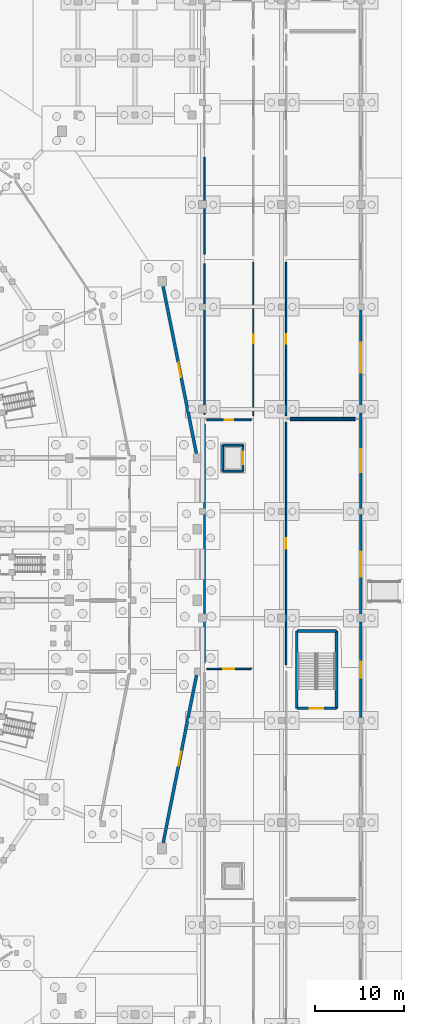
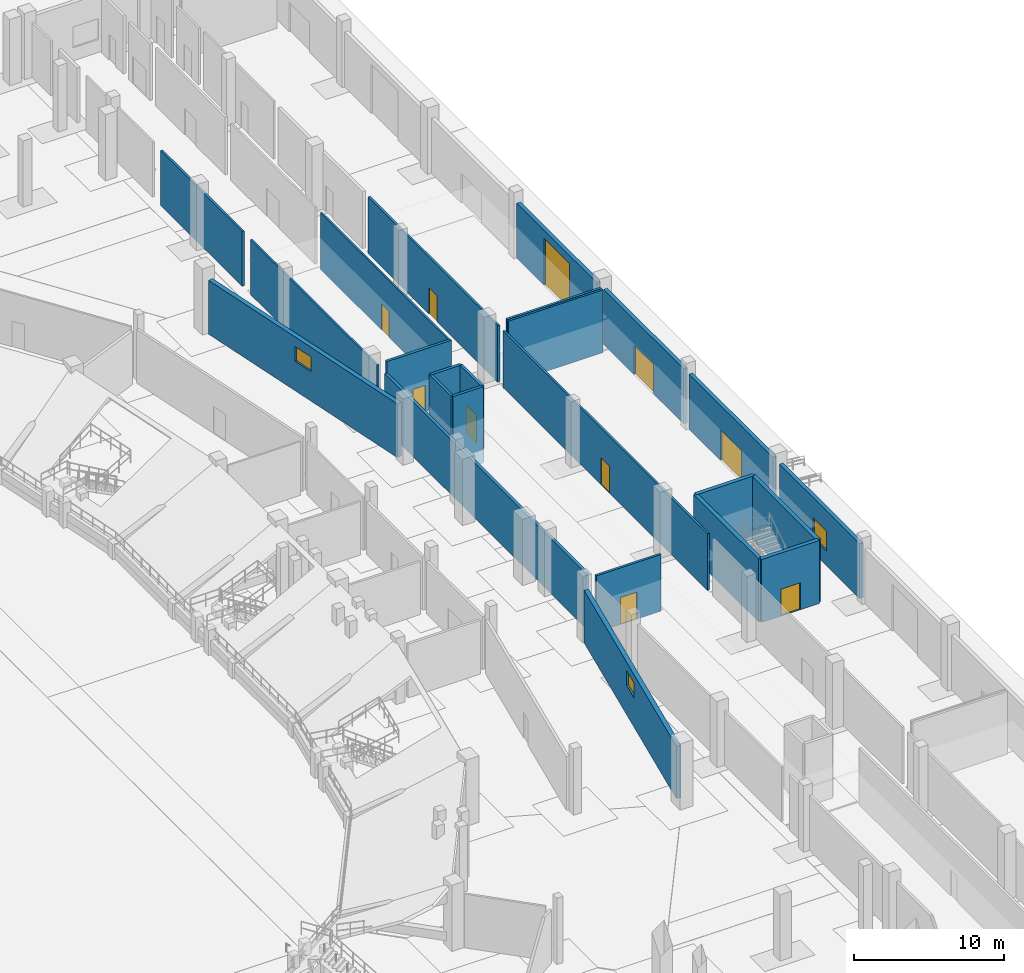
# One storey, part 35 of 68: 24 walls, 10 doors, 3 windows, 13 openings.
"""IFC4 building model written with IfcOpenShell, lengths in metres."""

import ifcopenshell
import ifcopenshell.guid

model = None  # the IFC model being written
_history = None  # IfcOwnerHistory: only IFC2X3 demands one
_inside = {}  # id of a spatial element -> (the spatial element, [elements in it])
_under = {}  # id of a project, library or spatial element -> (it, [spatial elements below it])
_declared = {}  # id of a project -> (the project, [libraries it declares])
_typed = {}  # id of a type object -> (the type object, [elements of that type])
_made_of = {}  # id of a material, layer set ... -> (it, [elements and type objects made of it])


def new_model(schema):
    """Start an empty IFC model of exactly this schema.

    Asked for "IFC4X3", IfcOpenShell would pick the latest addendum, in which some entities
    have other attributes; the version numbers below select the first issue.
    IFC2X3 requires an IfcOwnerHistory on every rooted entity: one is made here for all.
    """
    global model, _history
    if schema == "IFC4X3":
        model = ifcopenshell.file(schema_version=(4, 3, 0, 0))
    else:
        model = ifcopenshell.file(schema=schema)
    _inside.clear()
    _under.clear()
    _declared.clear()
    _typed.clear()
    _made_of.clear()
    _history = None
    if model.schema == "IFC2X3":
        org = make("IfcOrganization", Name="unknown")
        user = make(
            "IfcPersonAndOrganization",
            ThePerson=make("IfcPerson", FamilyName="unknown"),
            TheOrganization=org,
        )
        app = make(
            "IfcApplication",
            ApplicationDeveloper=org,
            Version="unknown",
            ApplicationFullName="unknown",
            ApplicationIdentifier="unknown",
        )
        _history = make(
            "IfcOwnerHistory",
            OwningUser=user,
            OwningApplication=app,
            ChangeAction="ADDED",
            CreationDate=0,
        )
    return model


def make(cls, **values):
    """One entity of the class cls with the attributes given. An attribute that is None is left unset."""
    return model.create_entity(
        cls, **{name: value for name, value in values.items() if value is not None}
    )


def rooted(cls, **values):
    """An entity with a GlobalId (a new one), such as an element, a storey or a relation."""
    return make(cls, GlobalId=ifcopenshell.guid.new(), OwnerHistory=_history, **values)


def si_unit(unit_type, name, prefix=None):
    """IfcSIUnit, for example si_unit("LENGTHUNIT", "METRE", prefix="MILLI")."""
    return make("IfcSIUnit", UnitType=unit_type, Prefix=prefix, Name=name)


def assignment(units):
    """IfcUnitAssignment: the units of a project."""
    return None if units is None else make("IfcUnitAssignment", Units=units)


def point(xyz):
    """IfcCartesianPoint."""
    return None if xyz is None else make("IfcCartesianPoint", Coordinates=xyz)


def direction(xyz):
    """IfcDirection."""
    return None if xyz is None else make("IfcDirection", DirectionRatios=xyz)


def frame(location, z_axis=None, x_axis=None):
    """IfcAxis2Placement3D, a coordinate frame: its origin and axes. An axis left out is left unset."""
    return make(
        "IfcAxis2Placement3D",
        Location=point(location),
        Axis=direction(z_axis),
        RefDirection=direction(x_axis),
    )


def frame_2d(location, x_axis=None):
    """IfcAxis2Placement2D, a coordinate frame in the plane: its origin and x axis."""
    return make(
        "IfcAxis2Placement2D", Location=point(location), RefDirection=direction(x_axis)
    )


def origin():
    """The frame at (0, 0, 0) with its axes left unset."""
    return frame((0.0, 0.0, 0.0))


def place(relative_to, where):
    """IfcLocalPlacement: puts the frame where relative to a parent placement (None: the world)."""
    return make(
        "IfcLocalPlacement", PlacementRelTo=relative_to, RelativePlacement=where
    )


def context(
    kind, dimensions, precision=None, world=None, true_north=None, identifier=None
):
    """IfcGeometricRepresentationContext, for example the 3D "Model" context."""
    return make(
        "IfcGeometricRepresentationContext",
        ContextIdentifier=identifier,
        ContextType=kind,
        CoordinateSpaceDimension=dimensions,
        Precision=precision,
        WorldCoordinateSystem=world,
        TrueNorth=true_north,
    )


def subcontext(parent, identifier, kind, view, scale=None):
    """IfcGeometricRepresentationSubContext, for example "Body" below "Model"."""
    return make(
        "IfcGeometricRepresentationSubContext",
        ContextIdentifier=identifier,
        ContextType=kind,
        ParentContext=parent,
        TargetScale=scale,
        TargetView=view,
    )


def project(units=None, contexts=None):
    """IfcProject with its units and contexts."""
    return rooted(
        "IfcProject",
        Name="project",
        RepresentationContexts=contexts,
        UnitsInContext=assignment(units),
    )


def spatial(cls, under=None, at=None, **own):
    """A site, building, storey or space (cls), placed at a placement, below another one or the project."""
    s = rooted(cls, ObjectPlacement=at, **own)
    if under is not None:
        _under.setdefault(under.id(), (under, []))[1].append(s)
    return s


def profile(cls, at=None, kind="AREA", **sizes):
    """A parametric profile (cls). Its sizes go by their IFC names, for example OverallWidth=200.0."""
    return make(cls, ProfileType=kind, Position=at, **sizes)


def rectangle(**sizes):
    """IfcRectangleProfileDef."""
    return profile("IfcRectangleProfileDef", **sizes)


def extrude(swept, where, along, depth):
    """IfcExtrudedAreaSolid: the profile swept, set in the frame where, extruded along a direction by depth."""
    return make(
        "IfcExtrudedAreaSolid",
        SweptArea=swept,
        Position=where,
        ExtrudedDirection=direction(along),
        Depth=depth,
    )


def shape(context_of_items, identifier, shape_type, items):
    """IfcShapeRepresentation: the items that make up one representation, for example the "Body"."""
    return make(
        "IfcShapeRepresentation",
        ContextOfItems=context_of_items,
        RepresentationIdentifier=identifier,
        RepresentationType=shape_type,
        Items=items,
    )


def material(Name=None, Category=None):
    """IfcMaterial."""
    return make("IfcMaterial", Name=Name, Category=Category)


def layer(
    of_material, thickness, ventilated=None, Name=None, Category=None, Priority=None
):
    """IfcMaterialLayer: one layer of a wall or slab, of a material (None: an air gap)."""
    return make(
        "IfcMaterialLayer",
        Material=of_material,
        LayerThickness=thickness,
        IsVentilated=ventilated,
        Name=Name,
        Category=Category,
        Priority=Priority,
    )


def layer_set(layers, Name=None):
    """IfcMaterialLayerSet."""
    return make("IfcMaterialLayerSet", MaterialLayers=layers, LayerSetName=Name)


def made_of(thing, what):
    """Note that an element or type object is made of a material, layer set ...; save() writes the relation."""
    if what is not None:
        _made_of.setdefault(what.id(), (what, []))[1].append(thing)
    return thing


def type_object(cls, material=None, **own):
    """A type object (cls), such as IfcWallType, which elements share."""
    return made_of(rooted(cls, **own), material)


def element(
    cls,
    number,
    at=None,
    inside=None,
    cuts=None,
    type_object=None,
    material=None,
    context=None,
    identifier="Body",
    shape_type=None,
    held_by="IfcProductDefinitionShape",
    body=None,
    shapes=None,
    **own,
):
    """One element of the class cls, such as IfcWall. Its Tag is "e" and its number.

    at: its placement. inside: the storey or other place that contains it. cuts: it is an
    opening in that element (IfcRelVoidsElement). A single representation is given by context,
    identifier, shape_type and body (its items); several are given by shapes. held_by: the class
    of the entity that holds the representations. save() writes the other relations.
    """
    e = rooted(cls, Tag="e%d" % number, ObjectPlacement=at, **own)
    if body is not None:
        shapes = [shape(context, identifier, shape_type, body)]
    if shapes is not None:
        e.Representation = make(held_by, Representations=shapes)
    if inside is not None:
        _inside.setdefault(inside.id(), (inside, []))[1].append(e)
    if cuts is not None:
        rooted(
            "IfcRelVoidsElement", RelatingBuildingElement=cuts, RelatedOpeningElement=e
        )
    if type_object is not None:
        _typed.setdefault(type_object.id(), (type_object, []))[1].append(e)
    return made_of(e, material)


def fill(opening, filler):
    """IfcRelFillsElement: the door or window that sits in an opening."""
    return rooted(
        "IfcRelFillsElement",
        RelatingOpeningElement=opening,
        RelatedBuildingElement=filler,
    )


def aggregate(whole, parts):
    """IfcRelAggregates: a whole, such as a stair, and the parts it consists of."""
    return rooted("IfcRelAggregates", RelatingObject=whole, RelatedObjects=parts)


def save(model, path):
    """Write the relations noted so far, then the file.

    IfcRelAggregates (storeys below a building ...), IfcRelContainedInSpatialStructure (elements
    in a storey), IfcRelDefinesByType, IfcRelAssociatesMaterial and IfcRelDeclares: one each for
    every whole, place, type object, material and project.
    """
    for whole, parts in _under.values():
        aggregate(whole, parts)
    for where, things in _inside.values():
        rooted(
            "IfcRelContainedInSpatialStructure",
            RelatedElements=things,
            RelatingStructure=where,
        )
    for kind, things in _typed.values():
        rooted("IfcRelDefinesByType", RelatedObjects=things, RelatingType=kind)
    for what, things in _made_of.values():
        rooted("IfcRelAssociatesMaterial", RelatedObjects=things, RelatingMaterial=what)
    for by, libraries in _declared.values():
        rooted("IfcRelDeclares", RelatingContext=by, RelatedDefinitions=libraries)
    model.write(path)


model = new_model("IFC4")

# Units and contexts
model_context = context("Model", 3, precision=1e-05, world=origin(), true_north=direction((0.0, 1.0)))
body_context = subcontext(model_context, "Body", "Model", "MODEL_VIEW")
ifc_project = project(units=[si_unit("LENGTHUNIT", "METRE"), si_unit("AREAUNIT", "SQUARE_METRE"), si_unit("VOLUMEUNIT", "CUBIC_METRE"), si_unit("PLANEANGLEUNIT", "RADIAN"), si_unit("MASSUNIT", "GRAM", prefix="KILO")], contexts=[model_context])

# Site, building, storey
site_placement = place(None, origin())
site = spatial("IfcSite", under=ifc_project, at=site_placement, CompositionType="ELEMENT")
building_placement = place(site_placement, origin())
building = spatial("IfcBuilding", under=site, at=building_placement, Name="Candeia Ridge Stadium", CompositionType="ELEMENT")
storey_placement = place(building_placement, origin())
storey = spatial("IfcBuildingStorey", under=building, at=storey_placement, Name="L00", CompositionType="ELEMENT", Elevation=0.0)

# Wall
ifc_material_1 = material(Name="Gypsum Metal-Stud Partition", Category="gypsum")
ifc_layer_1 = layer(ifc_material_1, 0.14501953125, Name="Gypsum Metal-Stud Partition", Category="gypsum")
ifc_layer_set_1 = layer_set([ifc_layer_1], Name="Gypsum Metal-Stud Partition")
wall_type_1 = type_object("IfcWallType", Name="Athlete Recovery Partition 145", PredefinedType="PARTITIONING", material=ifc_layer_set_1)
wall_1_placement = place(storey_placement, frame((193.800048828125, 99.949951171875, 0.0), z_axis=(0.0, 0.0, 1.0), x_axis=(0.0, 1.0, 0.0)))
element("IfcWall", 1, at=wall_1_placement, inside=storey, type_object=wall_type_1, Name="Demising partition PT-L00-0035", PredefinedType="PARTITIONING", context=body_context, shape_type="SweptSolid", body=[
    extrude(rectangle(XDim=16.900146484375, YDim=0.14501953125, at=frame_2d((8.4501953125, 0.0))), origin(), (0.0, 0.0, 1.0), 4.47509765625),
])

# Wall, opening, door
ifc_material_2 = material(Name="Gypsum Acoustic Twin-Stud Assembly", Category="gypsum")
ifc_layer_2 = layer(ifc_material_2, 0.159912109375, Name="Gypsum Acoustic Twin-Stud Assembly", Category="gypsum")
ifc_layer_set_2 = layer_set([ifc_layer_2], Name="Gypsum Acoustic Twin-Stud Assembly")
wall_type_2 = type_object("IfcWallType", Name="Club Dining Acoustic Partition 160", PredefinedType="PARTITIONING", material=ifc_layer_set_2)
wall_2_placement = place(storey_placement, frame((203.0, 71.75, 0.0), z_axis=(0.0, 0.0, 1.0), x_axis=(0.0, 1.0, 0.0)))
wall_2 = element("IfcWall", 2, at=wall_2_placement, inside=storey, type_object=wall_type_2, Name="Interior partition PT-L00-0032", PredefinedType="PARTITIONING", context=body_context, shape_type="SweptSolid", body=[
    extrude(rectangle(XDim=27.300048828125, YDim=0.159912109375, at=frame_2d((13.64990234375, 0.0))), origin(), (0.0, 0.0, 1.0), 4.625),
])
opening_1_placement = place(wall_2_placement, frame((13.074951171875, 0.0, 0.0)))
opening_1 = element("IfcOpeningElement", 3, at=opening_1_placement, cuts=wall_2, Name="Opening ID02", PredefinedType="OPENING", context=body_context, shape_type="SweptSolid", body=[
    extrude(rectangle(XDim=1.14990234375, YDim=2.199951171875, at=frame_2d((0.574951171875, 1.10009765625))), frame((0.0, 0.08984375, 0.0), z_axis=(0.0, -1.0, 0.0), x_axis=(1.0, 0.0, 0.0)), (0.0, 0.0, 1.0), 0.179931640625),
])
ifc_material_3 = material(Name="Acoustic Timber Studio Leaf", Category="wood")
door_type_1 = type_object("IfcDoorType", Name="Broadcast & Press Studio Door 1150x2200", OperationType="NOTDEFINED", PredefinedType="DOOR", material=ifc_material_3)
door_1_placement = place(opening_1_placement, origin())
door_1 = element("IfcDoor", 4, at=door_1_placement, inside=storey, type_object=door_type_1, Name="Interior room door D-L00-0018", OperationType="SINGLE_SWING_RIGHT", OverallHeight=2.199951171875, OverallWidth=1.14990234375, PredefinedType="DOOR", context=body_context, shape_type="SweptSolid", body=[
    extrude(rectangle(XDim=1.14990234375, YDim=2.199951171875, at=frame_2d((0.574951171875, 1.10009765625))), frame((0.0, 0.02490234375, 0.0), z_axis=(0.0, -1.0, 0.0), x_axis=(1.0, 0.0, 0.0)), (0.0, 0.0, 1.0), 0.050048828125),
])
fill(opening_1, door_1)

# Walls
wall_3_placement = place(storey_placement, frame((203.449951171875, 99.300048828125, 0.0), z_axis=(0.0, 0.0, 1.0), x_axis=(1.0, 0.0, 0.0)))
element("IfcWall", 5, at=wall_3_placement, inside=storey, type_object=wall_type_2, Name="Demising partition PT-L00-0033", PredefinedType="PARTITIONING", context=body_context, shape_type="SweptSolid", body=[
    extrude(rectangle(XDim=7.300048828125, YDim=0.159912109375, at=frame_2d((3.64990234375, 0.0))), origin(), (0.0, 0.0, 1.0), 5.1201171875),
])
ifc_material_4 = material(Name="Concrete C45/55", Category="concrete")
ifc_layer_3 = layer(ifc_material_4, 0.300048828125, Name="Concrete C45/55", Category="concrete")
ifc_layer_set_3 = layer_set([ifc_layer_3], Name="Concrete C45/55")
wall_type_3 = type_object("IfcWallType", Name="Core Shear Wall Concrete 300", PredefinedType="SHEAR", material=ifc_layer_set_3)
wall_4_placement = place(storey_placement, frame((208.649658203125, 66.850341796875, 0.0), z_axis=(0.0, 0.0, 1.0), x_axis=(0.0, 1.0, 0.0)))
element("IfcWall", 6, at=wall_4_placement, inside=storey, type_object=wall_type_3, Name="Core C16 left shear wall L00", PredefinedType="SHEAR", context=body_context, shape_type="SweptSolid", body=[
    extrude(rectangle(XDim=8.69921875, YDim=0.300048828125, at=frame_2d((4.349609375, 0.0))), origin(), (0.0, 0.0, 1.0), 5.139892578125),
])
wall_5_placement = place(storey_placement, frame((208.649658203125, 75.549560546875, 0.0), z_axis=(0.0, 0.0, 1.0), x_axis=(-1.0, 0.0, 0.0)))
element("IfcWall", 7, at=wall_5_placement, inside=storey, type_object=wall_type_3, Name="Core C16 far shear wall L00", PredefinedType="SHEAR", context=body_context, shape_type="SweptSolid", body=[
    extrude(rectangle(XDim=4.44921875, YDim=0.300048828125, at=frame_2d((2.224609375, 0.0))), origin(), (0.0, 0.0, 1.0), 5.139892578125),
])
wall_6_placement = place(storey_placement, frame((204.200439453125, 75.549560546875, 0.0), z_axis=(0.0, 0.0, 1.0), x_axis=(0.0, -1.0, 0.0)))
element("IfcWall", 8, at=wall_6_placement, inside=storey, type_object=wall_type_3, Name="Core C16 right shear wall L00", PredefinedType="SHEAR", context=body_context, shape_type="SweptSolid", body=[
    extrude(rectangle(XDim=8.69921875, YDim=0.300048828125, at=frame_2d((4.349609375, 0.0))), origin(), (0.0, 0.0, 1.0), 5.139892578125),
])

# Wall, opening, door
wall_7_placement = place(storey_placement, frame((204.200439453125, 66.850341796875, 0.0), z_axis=(0.0, 0.0, 1.0), x_axis=(1.0, 0.0, 0.0)))
wall_7 = element("IfcWall", 9, at=wall_7_placement, inside=storey, type_object=wall_type_3, Name="Core C16 near shear wall L00", PredefinedType="SHEAR", context=body_context, shape_type="SweptSolid", body=[
    extrude(rectangle(XDim=4.44921875, YDim=0.300048828125, at=frame_2d((2.224609375, 0.0))), origin(), (0.0, 0.0, 1.0), 5.139892578125),
])
opening_2_placement = place(wall_7_placement, frame((1.474609375, 0.0, 0.0)))
opening_2 = element("IfcOpeningElement", 10, at=opening_2_placement, cuts=wall_7, Name="Opening FD01", PredefinedType="OPENING", context=body_context, shape_type="SweptSolid", body=[
    extrude(rectangle(XDim=1.5, YDim=2.199951171875, at=frame_2d((0.75, 1.10009765625))), frame((0.0, 0.159912109375, 0.0), z_axis=(0.0, -1.0, 0.0), x_axis=(1.0, 0.0, 0.0)), (0.0, 0.0, 1.0), 0.320068359375),
])
ifc_material_5 = material(Name="Galvanized Fire-Rated Steel", Category="steel")
door_type_2 = type_object("IfcDoorType", Name="Exit Stair Core Fire Door 1500x2200", OperationType="NOTDEFINED", PredefinedType="DOOR", material=ifc_material_5)
door_2_placement = place(opening_2_placement, frame((1.5, 0.0, 0.0), z_axis=(0.0, 0.0, 1.0), x_axis=(-1.0, 0.0, 0.0)))
door_2 = element("IfcDoor", 11, at=door_2_placement, inside=storey, type_object=door_type_2, Name="Exit stair fire door SD-ST16-L00", OperationType="DOUBLE_DOOR_SINGLE_SWING", OverallHeight=2.199951171875, OverallWidth=1.5, PredefinedType="DOOR", context=body_context, shape_type="SweptSolid", body=[
    extrude(rectangle(XDim=1.5, YDim=2.199951171875, at=frame_2d((0.75, 1.10009765625))), frame((0.0, 0.02490234375, 0.0), z_axis=(0.0, -1.0, 0.0), x_axis=(1.0, 0.0, 0.0)), (0.0, 0.0, 1.0), 0.050048828125),
])
fill(opening_2, door_2)

ifc_layer_4 = layer(ifc_material_2, 0.179931640625, Name="Gypsum Acoustic Twin-Stud Assembly", Category="gypsum")
ifc_layer_set_4 = layer_set([ifc_layer_4], Name="Gypsum Acoustic Twin-Stud Assembly")
wall_type_4 = type_object("IfcWallType", Name="Corridor Fire Partition 180", PredefinedType="PARTITIONING", material=ifc_layer_set_4)
wall_8_placement = place(storey_placement, frame((194.050048828125, 71.300048828125, 0.0), z_axis=(0.0, 0.0, 1.0), x_axis=(1.0, 0.0, 0.0)))
wall_8 = element("IfcWall", 12, at=wall_8_placement, inside=storey, type_object=wall_type_4, Name="Interior partition PT-L00-0026", PredefinedType="PARTITIONING", context=body_context, shape_type="SweptSolid", body=[
    extrude(rectangle(XDim=5.0, YDim=0.179931640625, at=frame_2d((2.5, 0.0))), origin(), (0.0, 0.0, 1.0), 4.625),
])
opening_3_placement = place(wall_8_placement, frame((1.875, 0.0, 0.0)))
opening_3 = element("IfcOpeningElement", 13, at=opening_3_placement, cuts=wall_8, Name="Opening ID11", PredefinedType="OPENING", context=body_context, shape_type="SweptSolid", body=[
    extrude(rectangle(XDim=1.25, YDim=2.199951171875, at=frame_2d((0.625, 1.10009765625))), frame((0.0, 0.099853515625, 0.0), z_axis=(0.0, -1.0, 0.0), x_axis=(1.0, 0.0, 0.0)), (0.0, 0.0, 1.0), 0.199951171875),
])
door_type_3 = type_object("IfcDoorType", Name="Press Tribune Acoustic Door 1250x2200", OperationType="NOTDEFINED", PredefinedType="DOOR", material=ifc_material_3)
door_3_placement = place(opening_3_placement, frame((1.25, 0.0, 0.0), z_axis=(0.0, 0.0, 1.0), x_axis=(-1.0, 0.0, 0.0)))
door_3 = element("IfcDoor", 14, at=door_3_placement, inside=storey, type_object=door_type_3, Name="Interior room door D-L00-0015", OperationType="SINGLE_SWING_RIGHT", OverallHeight=2.199951171875, OverallWidth=1.25, PredefinedType="DOOR", context=body_context, shape_type="SweptSolid", body=[
    extrude(rectangle(XDim=1.25, YDim=2.199951171875, at=frame_2d((0.625, 1.10009765625))), frame((0.0, 0.02490234375, 0.0), z_axis=(0.0, -1.0, 0.0), x_axis=(1.0, 0.0, 0.0)), (0.0, 0.0, 1.0), 0.050048828125),
])
fill(opening_3, door_3)

# Wall
ifc_material_6 = material(Name="Moisture-Resistant Masonry & Tile", Category="masonry")
ifc_layer_5 = layer(ifc_material_6, 0.22998046875, Name="Moisture-Resistant Masonry & Tile", Category="masonry")
ifc_layer_set_5 = layer_set([ifc_layer_5], Name="Moisture-Resistant Masonry & Tile")
wall_type_5 = type_object("IfcWallType", Name="Dressing Suite Wet-Wall Chase 230", PredefinedType="PLUMBINGWALL", material=ifc_layer_set_5)
wall_9_placement = place(storey_placement, frame((193.800048828125, 71.949951171875, 0.0), z_axis=(0.0, 0.0, 1.0), x_axis=(0.0, 1.0, 0.0)))
element("IfcWall", 15, at=wall_9_placement, inside=storey, type_object=wall_type_5, Name="Demising partition PT-L00-0031", PredefinedType="PLUMBINGWALL", context=body_context, shape_type="SweptSolid", body=[
    extrude(rectangle(XDim=26.900146484375, YDim=0.22998046875, at=frame_2d((13.4501953125, 0.0))), origin(), (0.0, 0.0, 1.0), 4.47509765625),
])

# Wall, opening, window
ifc_material_7 = material(Name="Concrete C40/50", Category="concrete")
ifc_layer_6 = layer(ifc_material_7, 0.340087890625, Name="Concrete C40/50", Category="concrete")
ifc_layer_set_6 = layer_set([ifc_layer_6], Name="Concrete C40/50")
wall_type_6 = type_object("IfcWallType", Name="Exterior Acoustic Bowl Plinth Wall 340", PredefinedType="SOLIDWALL", material=ifc_layer_set_6)
wall_10_placement = place(storey_placement, frame((189.173095703125, 51.761474609375, 0.0), z_axis=(0.0, 0.0, 1.0), x_axis=(0.19509817024, 0.980783719262, 0.0)))
wall_10 = element("IfcWall", 16, at=wall_10_placement, inside=storey, type_object=wall_type_6, Name="Bowl plinth exterior wall EW-L00-0006", PredefinedType="SOLIDWALL", context=body_context, shape_type="SweptSolid", body=[
    extrude(rectangle(XDim=19.1884765625, YDim=0.340087890625, at=frame_2d((9.59423828125, 0.0))), origin(), (0.0, 0.0, 1.0), 4.27490234375),
])
opening_4_placement = place(wall_10_placement, frame((8.794189453125, 0.0, 2.39990234375)))
opening_4 = element("IfcOpeningElement", 17, at=opening_4_placement, cuts=wall_10, Name="Opening W15", PredefinedType="OPENING", context=body_context, shape_type="SweptSolid", body=[
    extrude(rectangle(XDim=1.60009765625, YDim=1.199951171875, at=frame_2d((0.800048828125, 0.60009765625))), frame((0.0, 0.179931640625, 0.0), z_axis=(0.0, -1.0, 0.0), x_axis=(1.0, 0.0, 0.0)), (0.0, 0.0, 1.0), 0.360107421875),
])
ifc_material_8 = material(Name="Tempered Solar-Control Double Glazing", Category="glass")
window_type_1 = type_object("IfcWindowType", Name="Plant Acoustic Louvre Window 1600x1200", PartitioningType="SINGLE_PANEL", PredefinedType="WINDOW", material=ifc_material_8)
window_1_placement = place(opening_4_placement, origin())
window_1 = element("IfcWindow", 18, at=window_1_placement, inside=storey, type_object=window_type_1, Name="Bowl plinth louvre window WIN-BWL-006", OverallHeight=1.199951171875, OverallWidth=1.60009765625, PartitioningType="SINGLE_PANEL", PredefinedType="WINDOW", context=body_context, shape_type="SweptSolid", body=[
    extrude(rectangle(XDim=1.60009765625, YDim=1.199951171875, at=frame_2d((0.800048828125, 0.60009765625))), frame((0.0, 0.030029296875, 0.0), z_axis=(0.0, -1.0, 0.0), x_axis=(1.0, 0.0, 0.0)), (0.0, 0.0, 1.0), 0.06005859375),
])
fill(opening_4, window_1)

wall_11_placement = place(storey_placement, frame((192.895751953125, 95.523681640625, 0.0), z_axis=(0.0, 0.0, 1.0), x_axis=(-0.19509043962, 0.98078525701, 0.0)))
wall_11 = element("IfcWall", 19, at=wall_11_placement, inside=storey, type_object=wall_type_6, Name="Bowl plinth exterior wall EW-L00-0007", PredefinedType="SOLIDWALL", context=body_context, shape_type="SweptSolid", body=[
    extrude(rectangle(XDim=19.135498046875, YDim=0.340087890625, at=frame_2d((9.56787109375, 0.0))), origin(), (0.0, 0.0, 1.0), 4.385009765625),
])
opening_5_placement = place(wall_11_placement, frame((8.767578125, 0.0, 2.39990234375)))
opening_5 = element("IfcOpeningElement", 20, at=opening_5_placement, cuts=wall_11, Name="Opening W15", PredefinedType="OPENING", context=body_context, shape_type="SweptSolid", body=[
    extrude(rectangle(XDim=1.60009765625, YDim=1.199951171875, at=frame_2d((0.800048828125, 0.60009765625))), frame((0.0, 0.179931640625, 0.0), z_axis=(0.0, -1.0, 0.0), x_axis=(1.0, 0.0, 0.0)), (0.0, 0.0, 1.0), 0.360107421875),
])
window_2_placement = place(opening_5_placement, origin())
window_2 = element("IfcWindow", 21, at=window_2_placement, inside=storey, type_object=window_type_1, Name="Bowl plinth louvre window WIN-BWL-007", OverallHeight=1.199951171875, OverallWidth=1.60009765625, PartitioningType="SINGLE_PANEL", PredefinedType="WINDOW", context=body_context, shape_type="SweptSolid", body=[
    extrude(rectangle(XDim=1.60009765625, YDim=1.199951171875, at=frame_2d((0.800048828125, 0.60009765625))), frame((0.0, 0.030029296875, 0.0), z_axis=(0.0, -1.0, 0.0), x_axis=(1.0, 0.0, 0.0)), (0.0, 0.0, 1.0), 0.06005859375),
])
fill(opening_5, window_2)

ifc_material_9 = material(Name="Concrete C35/45", Category="concrete")
ifc_layer_7 = layer(ifc_material_9, 0.2900390625, Name="Concrete C35/45", Category="concrete")
ifc_layer_set_7 = layer_set([ifc_layer_7], Name="Concrete C35/45")
wall_type_7 = type_object("IfcWallType", Name="Exterior Service & Plant Wall 290", PredefinedType="SOLIDWALL", material=ifc_layer_set_7)
wall_12_placement = place(storey_placement, frame((211.39990234375, 65.837890625, 0.0), z_axis=(0.0, 0.0, 1.0), x_axis=(0.0, 1.0, 0.0)))
wall_12 = element("IfcWall", 22, at=wall_12_placement, inside=storey, type_object=wall_type_7, Name="Exterior facade wall EW-L00-0123", PredefinedType="SOLIDWALL", context=body_context, shape_type="SweptSolid", body=[
    extrude(rectangle(XDim=10.72412109375, YDim=0.2900390625, at=frame_2d((5.362060546875, 0.0))), origin(), (0.0, 0.0, 1.0), 4.47509765625),
])
opening_6_placement = place(wall_12_placement, frame((4.4619140625, 0.0, 1.199951171875)))
opening_6 = element("IfcOpeningElement", 23, at=opening_6_placement, cuts=wall_12, Name="Opening W08", PredefinedType="OPENING", context=body_context, shape_type="SweptSolid", body=[
    extrude(rectangle(XDim=1.800048828125, YDim=1.60009765625, at=frame_2d((0.89990234375, 0.800048828125))), frame((0.0, 0.155029296875, 0.0), z_axis=(0.0, -1.0, 0.0), x_axis=(1.0, 0.0, 0.0)), (0.0, 0.0, 1.0), 0.31005859375),
])
window_type_2 = type_object("IfcWindowType", Name="Athlete Suite Window 1800x1600", PartitioningType="SINGLE_PANEL", PredefinedType="WINDOW", material=ifc_material_8)
window_3_placement = place(opening_6_placement, origin())
window_3 = element("IfcWindow", 24, at=window_3_placement, inside=storey, type_object=window_type_2, Name="Exterior window WIN-L00-066", OverallHeight=1.60009765625, OverallWidth=1.800048828125, PartitioningType="SINGLE_PANEL", PredefinedType="WINDOW", context=body_context, shape_type="SweptSolid", body=[
    extrude(rectangle(XDim=1.800048828125, YDim=1.60009765625, at=frame_2d((0.89990234375, 0.800048828125))), frame((0.0, 0.030029296875, 0.0), z_axis=(0.0, -1.0, 0.0), x_axis=(1.0, 0.0, 0.0)), (0.0, 0.0, 1.0), 0.06005859375),
])
fill(opening_6, window_3)

# Wall, opening, door
wall_13_placement = place(storey_placement, frame((211.39990234375, 77.43798828125, 0.0), z_axis=(0.0, 0.0, 1.0), x_axis=(0.0, 1.0, 0.0)))
wall_13 = element("IfcWall", 25, at=wall_13_placement, inside=storey, type_object=wall_type_7, Name="Exterior facade wall EW-L00-0124", PredefinedType="SOLIDWALL", context=body_context, shape_type="SweptSolid", body=[
    extrude(rectangle(XDim=11.22412109375, YDim=0.2900390625, at=frame_2d((5.612060546875, 0.0))), origin(), (0.0, 0.0, 1.0), 4.47509765625),
])
opening_7_placement = place(wall_13_placement, frame((4.2119140625, 0.0, 0.0)))
opening_7 = element("IfcOpeningElement", 26, at=opening_7_placement, cuts=wall_13, Name="Opening ED03", PredefinedType="OPENING", context=body_context, shape_type="SweptSolid", body=[
    extrude(rectangle(XDim=2.800048828125, YDim=2.5, at=frame_2d((1.39990234375, 1.25))), frame((0.0, 0.155029296875, 0.0), z_axis=(0.0, -1.0, 0.0), x_axis=(1.0, 0.0, 0.0)), (0.0, 0.0, 1.0), 0.31005859375),
])
ifc_material_10 = material(Name="Aluminium Anodized Glazed Door", Category="aluminium")
door_type_4 = type_object("IfcDoorType", Name="Main Entrance Double Door 2800x2500", OperationType="NOTDEFINED", PredefinedType="DOOR", material=ifc_material_10)
door_4_placement = place(opening_7_placement, frame((2.800048828125, 0.0, 0.0), z_axis=(0.0, 0.0, 1.0), x_axis=(-1.0, 0.0, 0.0)))
door_4 = element("IfcDoor", 27, at=door_4_placement, inside=storey, type_object=door_type_4, Name="Pedestrian exit gate G11", OperationType="DOUBLE_DOOR_SINGLE_SWING", OverallHeight=2.5, OverallWidth=2.800048828125, PredefinedType="DOOR", context=body_context, shape_type="SweptSolid", body=[
    extrude(rectangle(XDim=2.800048828125, YDim=2.5, at=frame_2d((1.39990234375, 1.25))), frame((0.0, 0.02490234375, 0.0), z_axis=(0.0, -1.0, 0.0), x_axis=(1.0, 0.0, 0.0)), (0.0, 0.0, 1.0), 0.050048828125),
])
fill(opening_7, door_4)

wall_14_placement = place(storey_placement, frame((211.39990234375, 89.337890625, 0.0), z_axis=(0.0, 0.0, 1.0), x_axis=(0.0, 1.0, 0.0)))
wall_14 = element("IfcWall", 28, at=wall_14_placement, inside=storey, type_object=wall_type_7, Name="Exterior facade wall EW-L00-0125", PredefinedType="SOLIDWALL", context=body_context, shape_type="SweptSolid", body=[
    extrude(rectangle(XDim=10.72412109375, YDim=0.2900390625, at=frame_2d((5.362060546875, 0.0))), origin(), (0.0, 0.0, 1.0), 4.47509765625),
])
opening_8_placement = place(wall_14_placement, frame((4.06201171875, 0.0, 0.0)))
opening_8 = element("IfcOpeningElement", 29, at=opening_8_placement, cuts=wall_14, Name="Opening ED02", PredefinedType="OPENING", context=body_context, shape_type="SweptSolid", body=[
    extrude(rectangle(XDim=2.60009765625, YDim=2.39990234375, at=frame_2d((1.300048828125, 1.199951171875))), frame((0.0, 0.155029296875, 0.0), z_axis=(0.0, -1.0, 0.0), x_axis=(1.0, 0.0, 0.0)), (0.0, 0.0, 1.0), 0.31005859375),
])
door_type_5 = type_object("IfcDoorType", Name="Pedestrian Exit Double Door 2600x2400", OperationType="NOTDEFINED", PredefinedType="DOOR", material=ifc_material_10)
door_5_placement = place(opening_8_placement, frame((2.60009765625, 0.0, 0.0), z_axis=(0.0, 0.0, 1.0), x_axis=(-1.0, 0.0, 0.0)))
door_5 = element("IfcDoor", 30, at=door_5_placement, inside=storey, type_object=door_type_5, Name="Pedestrian exit gate G12", OperationType="DOUBLE_DOOR_SINGLE_SWING", OverallHeight=2.39990234375, OverallWidth=2.60009765625, PredefinedType="DOOR", context=body_context, shape_type="SweptSolid", body=[
    extrude(rectangle(XDim=2.60009765625, YDim=2.39990234375, at=frame_2d((1.300048828125, 1.199951171875))), frame((0.0, 0.02490234375, 0.0), z_axis=(0.0, -1.0, 0.0), x_axis=(1.0, 0.0, 0.0)), (0.0, 0.0, 1.0), 0.050048828125),
])
fill(opening_8, door_5)

wall_15_placement = place(storey_placement, frame((211.39990234375, 100.93798828125, 0.0), z_axis=(0.0, 0.0, 1.0), x_axis=(0.0, 1.0, 0.0)))
wall_15 = element("IfcWall", 31, at=wall_15_placement, inside=storey, type_object=wall_type_7, Name="Exterior facade wall EW-L00-0126", PredefinedType="SOLIDWALL", context=body_context, shape_type="SweptSolid", body=[
    extrude(rectangle(XDim=10.72412109375, YDim=0.2900390625, at=frame_2d((5.362060546875, 0.0))), origin(), (0.0, 0.0, 1.0), 4.47509765625),
])
opening_9_placement = place(wall_15_placement, frame((3.662109375, 0.0, 0.0)))
opening_9 = element("IfcOpeningElement", 32, at=opening_9_placement, cuts=wall_15, Name="Opening RS02", PredefinedType="OPENING", context=body_context, shape_type="SweptSolid", body=[
    extrude(rectangle(XDim=3.39990234375, YDim=3.800048828125, at=frame_2d((1.699951171875, 1.89990234375))), frame((0.0, 0.155029296875, 0.0), z_axis=(0.0, -1.0, 0.0), x_axis=(1.0, 0.0, 0.0)), (0.0, 0.0, 1.0), 0.31005859375),
])
ifc_material_11 = material(Name="Galvanized Steel Roller Shutter", Category="steel")
door_type_6 = type_object("IfcDoorType", Name="Broadcast Dock Roller Shutter 3400x3800", OperationType="NOTDEFINED", PredefinedType="DOOR", material=ifc_material_11)
door_6_placement = place(opening_9_placement, frame((3.39990234375, 0.0, 0.0), z_axis=(0.0, 0.0, 1.0), x_axis=(-1.0, 0.0, 0.0)))
door_6 = element("IfcDoor", 33, at=door_6_placement, inside=storey, type_object=door_type_6, Name="Service dock roller shutter LS03", OperationType="ROLLINGUP", OverallHeight=3.800048828125, OverallWidth=3.39990234375, PredefinedType="DOOR", context=body_context, shape_type="SweptSolid", body=[
    extrude(rectangle(XDim=3.39990234375, YDim=3.800048828125, at=frame_2d((1.699951171875, 1.89990234375))), frame((0.0, 0.02490234375, 0.0), z_axis=(0.0, -1.0, 0.0), x_axis=(1.0, 0.0, 0.0)), (0.0, 0.0, 1.0), 0.050048828125),
])
fill(opening_9, door_6)

ifc_layer_8 = layer(ifc_material_2, 0.1650390625, Name="Gypsum Acoustic Twin-Stud Assembly", Category="gypsum")
ifc_layer_set_8 = layer_set([ifc_layer_8], Name="Gypsum Acoustic Twin-Stud Assembly")
wall_type_8 = type_object("IfcWallType", Name="Hospitality Suite Acoustic Wall 165", PredefinedType="PARTITIONING", material=ifc_layer_set_8)
wall_16_placement = place(storey_placement, frame((203.0, 99.75, 0.0), z_axis=(0.0, 0.0, 1.0), x_axis=(0.0, 1.0, 0.0)))
wall_16 = element("IfcWall", 34, at=wall_16_placement, inside=storey, type_object=wall_type_8, Name="Interior partition PT-L00-0036", PredefinedType="PARTITIONING", context=body_context, shape_type="SweptSolid", body=[
    extrude(rectangle(XDim=17.300048828125, YDim=0.1650390625, at=frame_2d((8.64990234375, 0.0))), origin(), (0.0, 0.0, 1.0), 4.625),
])
opening_10_placement = place(wall_16_placement, frame((8.10009765625, 0.0, 0.0)))
opening_10 = element("IfcOpeningElement", 35, at=opening_10_placement, cuts=wall_16, Name="Opening FD04", PredefinedType="OPENING", context=body_context, shape_type="SweptSolid", body=[
    extrude(rectangle(XDim=1.10009765625, YDim=2.14990234375, at=frame_2d((0.550048828125, 1.074951171875))), frame((0.0, 0.092529296875, 0.0), z_axis=(0.0, -1.0, 0.0), x_axis=(1.0, 0.0, 0.0)), (0.0, 0.0, 1.0), 0.18505859375),
])
door_type_7 = type_object("IfcDoorType", Name="Plant & Riser Rated Door 1100x2150", OperationType="NOTDEFINED", PredefinedType="DOOR", material=ifc_material_5)
door_7_placement = place(opening_10_placement, frame((1.10009765625, 0.0, 0.0), z_axis=(0.0, 0.0, 1.0), x_axis=(-1.0, 0.0, 0.0)))
door_7 = element("IfcDoor", 36, at=door_7_placement, inside=storey, type_object=door_type_7, Name="Interior room door D-L00-0020", OperationType="SINGLE_SWING_RIGHT", OverallHeight=2.14990234375, OverallWidth=1.10009765625, PredefinedType="DOOR", context=body_context, shape_type="SweptSolid", body=[
    extrude(rectangle(XDim=1.10009765625, YDim=2.14990234375, at=frame_2d((0.550048828125, 1.074951171875))), frame((0.0, 0.02490234375, 0.0), z_axis=(0.0, -1.0, 0.0), x_axis=(1.0, 0.0, 0.0)), (0.0, 0.0, 1.0), 0.050048828125),
])
fill(opening_10, door_7)

# Walls
wall_17_placement = place(storey_placement, frame((193.800048828125, 117.949951171875, 0.0), z_axis=(0.0, 0.0, 1.0), x_axis=(0.0, 1.0, 0.0)))
element("IfcWall", 37, at=wall_17_placement, inside=storey, type_object=wall_type_8, Name="Demising partition PT-L00-0039", PredefinedType="PARTITIONING", context=body_context, shape_type="SweptSolid", body=[
    extrude(rectangle(XDim=10.900146484375, YDim=0.1650390625, at=frame_2d((5.4501953125, 0.0))), origin(), (0.0, 0.0, 1.0), 4.47509765625),
])
ifc_layer_9 = layer(ifc_material_7, 0.219970703125, Name="Concrete C40/50", Category="concrete")
ifc_layer_set_9 = layer_set([ifc_layer_9], Name="Concrete C40/50")
wall_type_9 = type_object("IfcWallType", Name="Lift & Riser Shaft Wall 220", PredefinedType="SHEAR", material=ifc_layer_set_9)
wall_18_placement = place(storey_placement, frame((195.840087890625, 93.5400390625, -1.10009765625), z_axis=(0.0, 0.0, 1.0), x_axis=(1.0, 0.0, 0.0)))
element("IfcWall", 38, at=wall_18_placement, inside=storey, type_object=wall_type_9, Name="Lift GL2 shaft wall L00 south", PredefinedType="SHEAR", context=body_context, shape_type="SweptSolid", body=[
    extrude(rectangle(XDim=2.31982421875, YDim=0.219970703125, at=frame_2d((1.159912109375, 0.0))), origin(), (0.0, 0.0, 1.0), 6.239990234375),
])

# Wall, opening, door
wall_19_placement = place(storey_placement, frame((198.159912109375, 93.5400390625, -1.10009765625), z_axis=(0.0, 0.0, 1.0), x_axis=(0.0, 1.0, 0.0)))
wall_19 = element("IfcWall", 39, at=wall_19_placement, inside=storey, type_object=wall_type_9, Name="Lift GL2 shaft wall L00 east", PredefinedType="SHEAR", context=body_context, shape_type="SweptSolid", body=[
    extrude(rectangle(XDim=2.919921875, YDim=0.219970703125, at=frame_2d((1.4599609375, 0.0))), origin(), (0.0, 0.0, 1.0), 6.239990234375),
])
opening_11_placement = place(wall_19_placement, frame((0.760009765625, 0.0, 1.10009765625)))
opening_11 = element("IfcOpeningElement", 40, at=opening_11_placement, cuts=wall_19, Name="Opening LD03", PredefinedType="OPENING", context=body_context, shape_type="SweptSolid", body=[
    extrude(rectangle(XDim=1.39990234375, YDim=2.300048828125, at=frame_2d((0.699951171875, 1.14990234375))), frame((0.0, 0.119873046875, 0.0), z_axis=(0.0, -1.0, 0.0), x_axis=(1.0, 0.0, 0.0)), (0.0, 0.0, 1.0), 0.239990234375),
])
ifc_material_12 = material(Name="Brushed Stainless Steel", Category="steel")
door_type_8 = type_object("IfcDoorType", Name="Goods Lift Landing Door 1400x2300", OperationType="NOTDEFINED", PredefinedType="DOOR", material=ifc_material_12)
door_8_placement = place(opening_11_placement, origin())
door_8 = element("IfcDoor", 41, at=door_8_placement, inside=storey, type_object=door_type_8, Name="Lift landing sliding door LD-GL2-L00", OperationType="DOUBLE_DOOR_SLIDING", OverallHeight=2.300048828125, OverallWidth=1.39990234375, PredefinedType="DOOR", context=body_context, shape_type="SweptSolid", body=[
    extrude(rectangle(XDim=1.39990234375, YDim=2.300048828125, at=frame_2d((0.699951171875, 1.14990234375))), frame((0.0, 0.02490234375, 0.0), z_axis=(0.0, -1.0, 0.0), x_axis=(1.0, 0.0, 0.0)), (0.0, 0.0, 1.0), 0.050048828125),
])
fill(opening_11, door_8)

# Walls
wall_20_placement = place(storey_placement, frame((198.159912109375, 96.4599609375, -1.10009765625), z_axis=(0.0, 0.0, 1.0), x_axis=(-1.0, 0.0, 0.0)))
element("IfcWall", 42, at=wall_20_placement, inside=storey, type_object=wall_type_9, Name="Lift GL2 shaft wall L00 north", PredefinedType="SHEAR", context=body_context, shape_type="SweptSolid", body=[
    extrude(rectangle(XDim=2.31982421875, YDim=0.219970703125, at=frame_2d((1.159912109375, 0.0))), origin(), (0.0, 0.0, 1.0), 6.239990234375),
])
wall_21_placement = place(storey_placement, frame((195.840087890625, 96.4599609375, -1.10009765625), z_axis=(0.0, 0.0, 1.0), x_axis=(0.0, -1.0, 0.0)))
element("IfcWall", 43, at=wall_21_placement, inside=storey, type_object=wall_type_9, Name="Lift GL2 shaft wall L00 west", PredefinedType="SHEAR", context=body_context, shape_type="SweptSolid", body=[
    extrude(rectangle(XDim=2.919921875, YDim=0.219970703125, at=frame_2d((1.4599609375, 0.0))), origin(), (0.0, 0.0, 1.0), 6.239990234375),
])
ifc_material_13 = material(Name="Gypsum Acoustic Triple-Board Wall", Category="gypsum")
ifc_layer_10 = layer(ifc_material_13, 0.18505859375, Name="Gypsum Acoustic Triple-Board Wall", Category="gypsum")
ifc_layer_set_10 = layer_set([ifc_layer_10], Name="Gypsum Acoustic Triple-Board Wall")
wall_type_10 = type_object("IfcWallType", Name="Media Booth Studio Divider 185", PredefinedType="PARTITIONING", material=ifc_layer_set_10)
wall_22_placement = place(storey_placement, frame((210.75, 99.5, 0.0), z_axis=(0.0, 0.0, 1.0), x_axis=(-1.0, 0.0, 0.0)))
element("IfcWall", 44, at=wall_22_placement, inside=storey, type_object=wall_type_10, Name="Demising partition PT-L00-0037", PredefinedType="PARTITIONING", context=body_context, shape_type="SweptSolid", body=[
    extrude(rectangle(XDim=7.300048828125, YDim=0.18505859375, at=frame_2d((3.64990234375, 0.0))), origin(), (0.0, 0.0, 1.0), 5.1201171875),
])

# Wall, opening, door
ifc_layer_11 = layer(ifc_material_6, 0.2099609375, Name="Moisture-Resistant Masonry & Tile", Category="masonry")
ifc_layer_set_11 = layer_set([ifc_layer_11], Name="Moisture-Resistant Masonry & Tile")
wall_type_11 = type_object("IfcWallType", Name="Sanitary Wet-Wall Plumbing Chase 210", PredefinedType="PLUMBINGWALL", material=ifc_layer_set_11)
wall_23_placement = place(storey_placement, frame((194.050048828125, 99.300048828125, 0.0), z_axis=(0.0, 0.0, 1.0), x_axis=(1.0, 0.0, 0.0)))
wall_23 = element("IfcWall", 45, at=wall_23_placement, inside=storey, type_object=wall_type_11, Name="Interior partition PT-L00-0030", PredefinedType="PLUMBINGWALL", context=body_context, shape_type="SweptSolid", body=[
    extrude(rectangle(XDim=5.0, YDim=0.2099609375, at=frame_2d((2.5, 0.0))), origin(), (0.0, 0.0, 1.0), 5.1201171875),
])
opening_12_placement = place(wall_23_placement, frame((2.02001953125, 0.0, 0.0)))
opening_12 = element("IfcOpeningElement", 46, at=opening_12_placement, cuts=wall_23, Name="Opening ID17", PredefinedType="OPENING", context=body_context, shape_type="SweptSolid", body=[
    extrude(rectangle(XDim=0.9599609375, YDim=2.14990234375, at=frame_2d((0.47998046875, 1.074951171875))), frame((0.0, 0.114990234375, 0.0), z_axis=(0.0, -1.0, 0.0), x_axis=(1.0, 0.0, 0.0)), (0.0, 0.0, 1.0), 0.22998046875),
])
ifc_material_14 = material(Name="Solid Core Cedar Veneer", Category="wood")
door_type_9 = type_object("IfcDoorType", Name="Ticketing Office Single Door 960x2150", OperationType="NOTDEFINED", PredefinedType="DOOR", material=ifc_material_14)
door_9_placement = place(opening_12_placement, origin())
door_9 = element("IfcDoor", 47, at=door_9_placement, inside=storey, type_object=door_type_9, Name="Interior room door D-L00-0017", OperationType="SINGLE_SWING_LEFT", OverallHeight=2.14990234375, OverallWidth=0.9599609375, PredefinedType="DOOR", context=body_context, shape_type="SweptSolid", body=[
    extrude(rectangle(XDim=0.9599609375, YDim=2.14990234375, at=frame_2d((0.47998046875, 1.074951171875))), frame((0.0, 0.02490234375, 0.0), z_axis=(0.0, -1.0, 0.0), x_axis=(1.0, 0.0, 0.0)), (0.0, 0.0, 1.0), 0.050048828125),
])
fill(opening_12, door_9)

ifc_layer_12 = layer(ifc_material_1, 0.1298828125, Name="Gypsum Metal-Stud Partition", Category="gypsum")
ifc_layer_set_12 = layer_set([ifc_layer_12], Name="Gypsum Metal-Stud Partition")
wall_type_12 = type_object("IfcWallType", Name="Ticketing Back-Office Partition 130", PredefinedType="PARTITIONING", material=ifc_layer_set_12)
wall_24_placement = place(storey_placement, frame((199.300048828125, 117.050048828125, 0.0), z_axis=(0.0, 0.0, 1.0), x_axis=(0.0, -1.0, 0.0)))
wall_24 = element("IfcWall", 48, at=wall_24_placement, inside=storey, type_object=wall_type_12, Name="Interior partition PT-L00-0034", PredefinedType="PARTITIONING", context=body_context, shape_type="SweptSolid", body=[
    extrude(rectangle(XDim=17.300048828125, YDim=0.1298828125, at=frame_2d((8.64990234375, 0.0))), origin(), (0.0, 0.0, 1.0), 4.625),
])
opening_13_placement = place(wall_24_placement, frame((8.175048828125, 0.0, 0.0)))
opening_13 = element("IfcOpeningElement", 49, at=opening_13_placement, cuts=wall_24, Name="Opening ID05", PredefinedType="OPENING", context=body_context, shape_type="SweptSolid", body=[
    extrude(rectangle(XDim=0.949951171875, YDim=2.14990234375, at=frame_2d((0.47509765625, 1.074951171875))), frame((0.0, 0.074951171875, 0.0), z_axis=(0.0, -1.0, 0.0), x_axis=(1.0, 0.0, 0.0)), (0.0, 0.0, 1.0), 0.14990234375),
])
door_type_10 = type_object("IfcDoorType", Name="General Room Single Door 950x2150", OperationType="NOTDEFINED", PredefinedType="DOOR", material=ifc_material_14)
door_10_placement = place(opening_13_placement, frame((0.949951171875, 0.0, 0.0), z_axis=(0.0, 0.0, 1.0), x_axis=(-1.0, 0.0, 0.0)))
door_10 = element("IfcDoor", 50, at=door_10_placement, inside=storey, type_object=door_type_10, Name="Interior room door D-L00-0019", OperationType="SINGLE_SWING_LEFT", OverallHeight=2.14990234375, OverallWidth=0.949951171875, PredefinedType="DOOR", context=body_context, shape_type="SweptSolid", body=[
    extrude(rectangle(XDim=0.949951171875, YDim=2.14990234375, at=frame_2d((0.47509765625, 1.074951171875))), frame((0.0, 0.02490234375, 0.0), z_axis=(0.0, -1.0, 0.0), x_axis=(1.0, 0.0, 0.0)), (0.0, 0.0, 1.0), 0.050048828125),
])
fill(opening_13, door_10)

save(model, "model.ifc")
